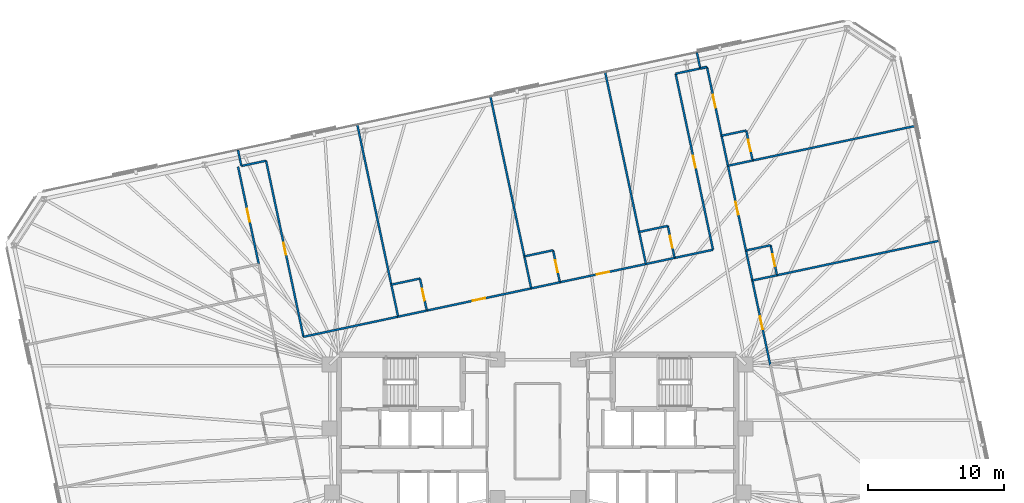
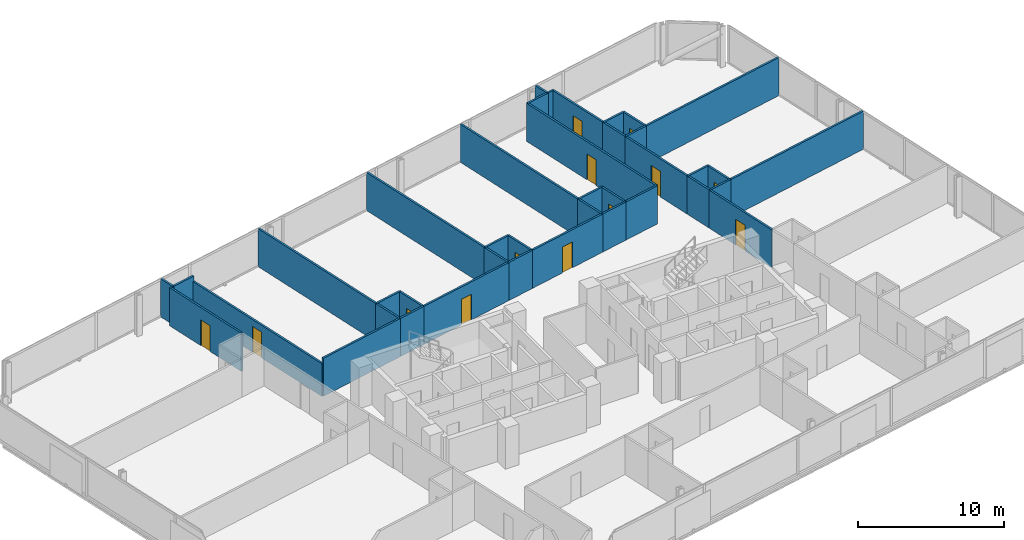
# One storey, part 17 of 19: 40 walls, 13 doors, 13 openings.
"""IFC4 building model written with IfcOpenShell, lengths in metres."""

from ifc_helpers import new_model, si_unit, direction, frame, frame_2d, origin, place, context, subcontext, project, spatial, rectangle, extrude, material, layer, layer_set, type_object, element, fill, save


model = new_model("IFC4")

# Units and contexts
model_context = context("Model", 3, precision=1e-05, world=origin(), true_north=direction((0.0, 1.0)))
body_context = subcontext(model_context, "Body", "Model", "MODEL_VIEW")
ifc_project = project(units=[si_unit("LENGTHUNIT", "METRE"), si_unit("AREAUNIT", "SQUARE_METRE"), si_unit("VOLUMEUNIT", "CUBIC_METRE"), si_unit("PLANEANGLEUNIT", "RADIAN"), si_unit("MASSUNIT", "GRAM", prefix="KILO")], contexts=[model_context])

# Site, building, storey
site_placement = place(None, origin())
site = spatial("IfcSite", under=ifc_project, at=site_placement, CompositionType="ELEMENT")
building_placement = place(site_placement, origin())
building = spatial("IfcBuilding", under=site, at=building_placement, Name="Menara Jurai Vektor", CompositionType="ELEMENT")
storey_placement = place(building_placement, frame((0.0, 0.0, 154.800048828125)))
storey = spatial("IfcBuildingStorey", under=building, at=storey_placement, Name="L39", CompositionType="ELEMENT", Elevation=154.800048828125)

# Walls
ifc_material_1 = material(Name="Gypsum Fireboard Partition", Category="gypsum")
ifc_layer_1 = layer(ifc_material_1, 0.14990234375)
ifc_layer_set_1 = layer_set([ifc_layer_1], Name="Gypsum Fireboard Partition")
wall_type_1 = type_object("IfcWallType", Name="INT-WALL-CORR-150", PredefinedType="PARTITIONING", material=ifc_layer_set_1)
wall_1_placement = place(storey_placement, frame((-21.71533203125, 19.447998046875, 0.0), z_axis=(0.0, 0.0, 1.0), x_axis=(0.978160192495, 0.207852442415, 0.0)))
element("IfcWall", 1, at=wall_1_placement, inside=storey, type_object=wall_type_1, Name="Interior Wall IW-150 L39", PredefinedType="PARTITIONING", context=body_context, shape_type="SweptSolid", body=[
    extrude(rectangle(XDim=1.849853515625, YDim=0.14990234375, at=frame_2d((0.9248046875, 0.0))), origin(), (0.0, 0.0, 1.0), 3.175048828125),
])
wall_2_placement = place(storey_placement, frame((-17.162353515625, 6.92578125, 0.0), z_axis=(0.0, 0.0, 1.0), x_axis=(0.978143627193, 0.207930383978, 0.0)))
element("IfcWall", 2, at=wall_2_placement, inside=storey, type_object=wall_type_1, Name="Interior Wall IW-150 L39", PredefinedType="PARTITIONING", context=body_context, shape_type="SweptSolid", body=[
    extrude(rectangle(XDim=7.093017578125, YDim=0.14990234375, at=frame_2d((3.54638671875, 0.0))), origin(), (0.0, 0.0, 1.0), 3.175048828125),
])

# Wall, opening, door
wall_3_placement = place(storey_placement, frame((-8.121337890625, 8.84765625, 0.0), z_axis=(0.0, 0.0, 1.0), x_axis=(0.978146318695, 0.207917722244, 0.0)))
wall_3 = element("IfcWall", 3, at=wall_3_placement, inside=storey, type_object=wall_type_1, Name="Interior Wall IW-150 L39", PredefinedType="PARTITIONING", context=body_context, shape_type="SweptSolid", body=[
    extrude(rectangle(XDim=7.82373046875, YDim=0.14990234375, at=frame_2d((3.911865234375, 0.0))), origin(), (0.0, 0.0, 1.0), 3.175048828125),
])
opening_1_placement = place(wall_3_placement, frame((3.451904296875, 0.0, 0.0)))
opening_1 = element("IfcOpeningElement", 4, at=opening_1_placement, cuts=wall_3, Name="Opening D39-08", PredefinedType="OPENING", context=body_context, shape_type="SweptSolid", body=[
    extrude(rectangle(XDim=0.919921875, YDim=2.14990234375, at=frame_2d((0.4599609375, 1.074951171875))), frame((0.0, 0.0849609375, 0.0), z_axis=(0.0, -1.0, 0.0), x_axis=(1.0, 0.0, 0.0)), (0.0, 0.0, 1.0), 0.169921875),
])
ifc_material_2 = material(Name="Solid Core Timber Fire Door", Category="wood")
door_type_1 = type_object("IfcDoorType", Name="DR-ENTRY-950", OperationType="NOTDEFINED", PredefinedType="DOOR", material=ifc_material_2)
door_1_placement = place(opening_1_placement, origin())
door_1 = element("IfcDoor", 5, at=door_1_placement, inside=storey, type_object=door_type_1, Name="Interior Door D39-08", OperationType="SINGLE_SWING_LEFT", OverallHeight=2.14990234375, OverallWidth=0.919921875, PredefinedType="DOOR", context=body_context, shape_type="SweptSolid", body=[
    extrude(rectangle(XDim=0.919921875, YDim=2.14990234375, at=frame_2d((0.4599609375, 1.074951171875))), frame((0.0, 0.02490234375, 0.0), z_axis=(0.0, -1.0, 0.0), x_axis=(1.0, 0.0, 0.0)), (0.0, 0.0, 1.0), 0.050048828125),
])
fill(opening_1, door_1)

# Wall
wall_4_placement = place(storey_placement, frame((-10.224365234375, 8.400634765625, 0.0), z_axis=(0.0, 0.0, 1.0), x_axis=(0.978146728319, 0.207915795165, 0.0)))
element("IfcWall", 6, at=wall_4_placement, inside=storey, type_object=wall_type_1, Name="Interior Wall IW-150 L39", PredefinedType="PARTITIONING", context=body_context, shape_type="SweptSolid", body=[
    extrude(rectangle(XDim=2.14990234375, YDim=0.14990234375, at=frame_2d((1.074951171875, 0.0))), origin(), (0.0, 0.0, 1.0), 3.175048828125),
])

# Wall, opening, door
wall_5_placement = place(storey_placement, frame((1.634521484375, 10.92138671875, 0.0), z_axis=(0.0, 0.0, 1.0), x_axis=(0.978147881284, 0.207910370927, 0.0)))
wall_5 = element("IfcWall", 7, at=wall_5_placement, inside=storey, type_object=wall_type_1, Name="Interior Wall IW-150 L39", PredefinedType="PARTITIONING", context=body_context, shape_type="SweptSolid", body=[
    extrude(rectangle(XDim=6.448974609375, YDim=0.14990234375, at=frame_2d((3.224609375, 0.0))), origin(), (0.0, 0.0, 1.0), 3.175048828125),
])
opening_2_placement = place(wall_5_placement, frame((2.764404296875, 0.0, 0.0)))
opening_2 = element("IfcOpeningElement", 8, at=opening_2_placement, cuts=wall_5, Name="Opening D39-10", PredefinedType="OPENING", context=body_context, shape_type="SweptSolid", body=[
    extrude(rectangle(XDim=0.919921875, YDim=2.14990234375, at=frame_2d((0.4599609375, 1.074951171875))), frame((0.0, 0.0849609375, 0.0), z_axis=(0.0, -1.0, 0.0), x_axis=(1.0, 0.0, 0.0)), (0.0, 0.0, 1.0), 0.169921875),
])
door_2_placement = place(opening_2_placement, origin())
door_2 = element("IfcDoor", 9, at=door_2_placement, inside=storey, type_object=door_type_1, Name="Interior Door D39-10", OperationType="SINGLE_SWING_LEFT", OverallHeight=2.14990234375, OverallWidth=0.919921875, PredefinedType="DOOR", context=body_context, shape_type="SweptSolid", body=[
    extrude(rectangle(XDim=0.919921875, YDim=2.14990234375, at=frame_2d((0.4599609375, 1.074951171875))), frame((0.0, 0.02490234375, 0.0), z_axis=(0.0, -1.0, 0.0), x_axis=(1.0, 0.0, 0.0)), (0.0, 0.0, 1.0), 0.050048828125),
])
fill(opening_2, door_2)

# Walls
wall_6_placement = place(storey_placement, frame((-0.468505859375, 10.474365234375, 0.0), z_axis=(0.0, 0.0, 1.0), x_axis=(0.978146728319, 0.207915795165, 0.0)))
element("IfcWall", 10, at=wall_6_placement, inside=storey, type_object=wall_type_1, Name="Interior Wall IW-150 L39", PredefinedType="PARTITIONING", context=body_context, shape_type="SweptSolid", body=[
    extrude(rectangle(XDim=2.14990234375, YDim=0.14990234375, at=frame_2d((1.074951171875, 0.0))), origin(), (0.0, 0.0, 1.0), 3.175048828125),
])
wall_7_placement = place(storey_placement, frame((10.045654296875, 12.709228515625, 0.0), z_axis=(0.0, 0.0, 1.0), x_axis=(0.97816208355, 0.207843542851, 0.0)))
element("IfcWall", 11, at=wall_7_placement, inside=storey, type_object=wall_type_1, Name="Interior Wall IW-150 L39", PredefinedType="PARTITIONING", context=body_context, shape_type="SweptSolid", body=[
    extrude(rectangle(XDim=2.879150390625, YDim=0.14990234375, at=frame_2d((1.439453125, 0.0))), origin(), (0.0, 0.0, 1.0), 3.175048828125),
])

# Wall, opening, door
wall_8_placement = place(storey_placement, frame((12.86181640625, 13.3076171875, 0.0), z_axis=(0.0, 0.0, 1.0), x_axis=(-0.207911421929, 0.978147657888, 0.0)))
wall_8 = element("IfcWall", 12, at=wall_8_placement, inside=storey, type_object=wall_type_1, Name="Interior Wall IW-150 L39", PredefinedType="PARTITIONING", context=body_context, shape_type="SweptSolid", body=[
    extrude(rectangle(XDim=13.195068359375, YDim=0.14990234375, at=frame_2d((6.59765625, 0.0))), origin(), (0.0, 0.0, 1.0), 3.175048828125),
])
opening_3_placement = place(wall_8_placement, frame((6.137451171875, 0.0, 0.0)))
opening_3 = element("IfcOpeningElement", 13, at=opening_3_placement, cuts=wall_8, Name="Opening D39-12", PredefinedType="OPENING", context=body_context, shape_type="SweptSolid", body=[
    extrude(rectangle(XDim=0.919921875, YDim=2.14990234375, at=frame_2d((0.4599609375, 1.074951171875))), frame((0.0, 0.0849609375, 0.0), z_axis=(0.0, -1.0, 0.0), x_axis=(1.0, 0.0, 0.0)), (0.0, 0.0, 1.0), 0.169921875),
])
door_3_placement = place(opening_3_placement, origin())
door_3 = element("IfcDoor", 14, at=door_3_placement, inside=storey, type_object=door_type_1, Name="Interior Door D39-12", OperationType="SINGLE_SWING_LEFT", OverallHeight=2.14990234375, OverallWidth=0.919921875, PredefinedType="DOOR", context=body_context, shape_type="SweptSolid", body=[
    extrude(rectangle(XDim=0.919921875, YDim=2.14990234375, at=frame_2d((0.4599609375, 1.074951171875))), frame((0.0, 0.02490234375, 0.0), z_axis=(0.0, -1.0, 0.0), x_axis=(1.0, 0.0, 0.0)), (0.0, 0.0, 1.0), 0.050048828125),
])
fill(opening_3, door_3)

# Walls
wall_9_placement = place(storey_placement, frame((10.118408203125, 26.21435546875, 0.0), z_axis=(0.0, 0.0, 1.0), x_axis=(0.978133353907, 0.20797870558, 0.0)))
element("IfcWall", 15, at=wall_9_placement, inside=storey, type_object=wall_type_1, Name="Interior Wall IW-150 L39", PredefinedType="PARTITIONING", context=body_context, shape_type="SweptSolid", body=[
    extrude(rectangle(XDim=1.85009765625, YDim=0.14990234375, at=frame_2d((0.925048828125, 0.0))), origin(), (0.0, 0.0, 1.0), 3.175048828125),
])
wall_10_placement = place(storey_placement, frame((7.942626953125, 12.26220703125, 0.0), z_axis=(0.0, 0.0, 1.0), x_axis=(0.978146728319, 0.207915795165, 0.0)))
element("IfcWall", 16, at=wall_10_placement, inside=storey, type_object=wall_type_1, Name="Interior Wall IW-150 L39", PredefinedType="PARTITIONING", context=body_context, shape_type="SweptSolid", body=[
    extrude(rectangle(XDim=2.14990234375, YDim=0.14990234375, at=frame_2d((1.074951171875, 0.0))), origin(), (0.0, 0.0, 1.0), 3.175048828125),
])

# Wall, opening, door
wall_11_placement = place(storey_placement, frame((-20.442138671875, 12.25537109375, 0.0), z_axis=(0.0, 0.0, 1.0), x_axis=(-0.207916352354, 0.978146609882, 0.0)))
wall_11 = element("IfcWall", 17, at=wall_11_placement, inside=storey, type_object=wall_type_1, Name="Interior Wall IW-150 L39", PredefinedType="PARTITIONING", context=body_context, shape_type="SweptSolid", body=[
    extrude(rectangle(XDim=7.300048828125, YDim=0.14990234375, at=frame_2d((3.64990234375, 0.0))), origin(), (0.0, 0.0, 1.0), 3.175048828125),
])
opening_4_placement = place(wall_11_placement, frame((3.175048828125, 0.0, 0.0)))
opening_4 = element("IfcOpeningElement", 18, at=opening_4_placement, cuts=wall_11, Name="Opening D39-25", PredefinedType="OPENING", context=body_context, shape_type="SweptSolid", body=[
    extrude(rectangle(XDim=0.949951171875, YDim=2.14990234375, at=frame_2d((0.47509765625, 1.074951171875))), frame((0.0, 0.0849609375, 0.0), z_axis=(0.0, -1.0, 0.0), x_axis=(1.0, 0.0, 0.0)), (0.0, 0.0, 1.0), 0.169921875),
])
door_4_placement = place(opening_4_placement, origin())
door_4 = element("IfcDoor", 19, at=door_4_placement, inside=storey, type_object=door_type_1, Name="Interior Door D39-25", OperationType="SINGLE_SWING_RIGHT", OverallHeight=2.14990234375, OverallWidth=0.949951171875, PredefinedType="DOOR", context=body_context, shape_type="SweptSolid", body=[
    extrude(rectangle(XDim=0.949951171875, YDim=2.14990234375, at=frame_2d((0.47509765625, 1.074951171875))), frame((0.0, 0.02490234375, 0.0), z_axis=(0.0, -1.0, 0.0), x_axis=(1.0, 0.0, 0.0)), (0.0, 0.0, 1.0), 0.050048828125),
])
fill(opening_4, door_4)

wall_12_placement = place(storey_placement, frame((17.06396484375, 4.84130859375, 0.0), z_axis=(0.0, 0.0, 1.0), x_axis=(-0.207924511115, 0.978144875608, 0.0)))
wall_12 = element("IfcWall", 20, at=wall_12_placement, inside=storey, type_object=wall_type_1, Name="Interior Wall IW-150 L39", PredefinedType="PARTITIONING", context=body_context, shape_type="SweptSolid", body=[
    extrude(rectangle(XDim=6.349853515625, YDim=0.14990234375, at=frame_2d((3.1748046875, 0.0))), origin(), (0.0, 0.0, 1.0), 3.175048828125),
])
opening_5_placement = place(wall_12_placement, frame((2.699951171875, 0.0, 0.0)))
opening_5 = element("IfcOpeningElement", 21, at=opening_5_placement, cuts=wall_12, Name="Opening D39-31", PredefinedType="OPENING", context=body_context, shape_type="SweptSolid", body=[
    extrude(rectangle(XDim=0.949951171875, YDim=2.14990234375, at=frame_2d((0.47509765625, 1.074951171875))), frame((0.0, 0.0849609375, 0.0), z_axis=(0.0, -1.0, 0.0), x_axis=(1.0, 0.0, 0.0)), (0.0, 0.0, 1.0), 0.169921875),
])
door_5_placement = place(opening_5_placement, origin())
door_5 = element("IfcDoor", 22, at=door_5_placement, inside=storey, type_object=door_type_1, Name="Interior Door D39-31", OperationType="SINGLE_SWING_RIGHT", OverallHeight=2.14990234375, OverallWidth=0.949951171875, PredefinedType="DOOR", context=body_context, shape_type="SweptSolid", body=[
    extrude(rectangle(XDim=0.949951171875, YDim=2.14990234375, at=frame_2d((0.47509765625, 1.074951171875))), frame((0.0, 0.02490234375, 0.0), z_axis=(0.0, -1.0, 0.0), x_axis=(1.0, 0.0, 0.0)), (0.0, 0.0, 1.0), 0.050048828125),
])
fill(opening_5, door_5)

wall_13_placement = place(storey_placement, frame((15.27587890625, 13.25341796875, 0.0), z_axis=(0.0, 0.0, 1.0), x_axis=(-0.207924511115, 0.978144875608, 0.0)))
wall_13 = element("IfcWall", 23, at=wall_13_placement, inside=storey, type_object=wall_type_1, Name="Interior Wall IW-150 L39", PredefinedType="PARTITIONING", context=body_context, shape_type="SweptSolid", body=[
    extrude(rectangle(XDim=6.349853515625, YDim=0.14990234375, at=frame_2d((3.1748046875, 0.0))), origin(), (0.0, 0.0, 1.0), 3.175048828125),
])
opening_6_placement = place(wall_13_placement, frame((2.699951171875, 0.0, 0.0)))
opening_6 = element("IfcOpeningElement", 24, at=opening_6_placement, cuts=wall_13, Name="Opening D39-33", PredefinedType="OPENING", context=body_context, shape_type="SweptSolid", body=[
    extrude(rectangle(XDim=0.949951171875, YDim=2.14990234375, at=frame_2d((0.47509765625, 1.074951171875))), frame((0.0, 0.0849609375, 0.0), z_axis=(0.0, -1.0, 0.0), x_axis=(1.0, 0.0, 0.0)), (0.0, 0.0, 1.0), 0.169921875),
])
door_6_placement = place(opening_6_placement, origin())
door_6 = element("IfcDoor", 25, at=door_6_placement, inside=storey, type_object=door_type_1, Name="Interior Door D39-33", OperationType="SINGLE_SWING_RIGHT", OverallHeight=2.14990234375, OverallWidth=0.949951171875, PredefinedType="DOOR", context=body_context, shape_type="SweptSolid", body=[
    extrude(rectangle(XDim=0.949951171875, YDim=2.14990234375, at=frame_2d((0.47509765625, 1.074951171875))), frame((0.0, 0.02490234375, 0.0), z_axis=(0.0, -1.0, 0.0), x_axis=(1.0, 0.0, 0.0)), (0.0, 0.0, 1.0), 0.050048828125),
])
fill(opening_6, door_6)

# Walls
wall_14_placement = place(storey_placement, frame((15.74365234375, 11.052490234375, 0.0), z_axis=(0.0, 0.0, 1.0), x_axis=(-0.207891197838, 0.978151956427, 0.0)))
element("IfcWall", 26, at=wall_14_placement, inside=storey, type_object=wall_type_1, Name="Interior Wall IW-150 L39", PredefinedType="PARTITIONING", context=body_context, shape_type="SweptSolid", body=[
    extrude(rectangle(XDim=2.25, YDim=0.14990234375, at=frame_2d((1.125, 0.0))), origin(), (0.0, 0.0, 1.0), 3.175048828125),
])
wall_15_placement = place(storey_placement, frame((11.927978515625, 26.59912109375, 0.0), z_axis=(0.0, 0.0, 1.0), x_axis=(0.97822210712, 0.207560856478, 0.0)))
element("IfcWall", 27, at=wall_15_placement, inside=storey, type_object=wall_type_1, Name="Interior Wall IW-150 L39", PredefinedType="PARTITIONING", context=body_context, shape_type="SweptSolid", body=[
    extrude(rectangle(XDim=0.5, YDim=0.14990234375, at=frame_2d((0.25, 0.0))), origin(), (0.0, 0.0, 1.0), 3.175048828125),
])

# Wall, opening, door
wall_16_placement = place(storey_placement, frame((13.48779296875, 21.66552734375, 0.0), z_axis=(0.0, 0.0, 1.0), x_axis=(-0.207926226209, 0.978144511028, 0.0)))
wall_16 = element("IfcWall", 28, at=wall_16_placement, inside=storey, type_object=wall_type_1, Name="Interior Wall IW-150 L39", PredefinedType="PARTITIONING", context=body_context, shape_type="SweptSolid", body=[
    extrude(rectangle(XDim=5.14990234375, YDim=0.14990234375, at=frame_2d((2.574951171875, 0.0))), origin(), (0.0, 0.0, 1.0), 3.175048828125),
])
opening_7_placement = place(wall_16_placement, frame((2.10009765625, 0.0, 0.0)))
opening_7 = element("IfcOpeningElement", 29, at=opening_7_placement, cuts=wall_16, Name="Opening D39-35", PredefinedType="OPENING", context=body_context, shape_type="SweptSolid", body=[
    extrude(rectangle(XDim=0.949951171875, YDim=2.14990234375, at=frame_2d((0.47509765625, 1.074951171875))), frame((0.0, 0.0849609375, 0.0), z_axis=(0.0, -1.0, 0.0), x_axis=(1.0, 0.0, 0.0)), (0.0, 0.0, 1.0), 0.169921875),
])
door_7_placement = place(opening_7_placement, origin())
door_7 = element("IfcDoor", 30, at=door_7_placement, inside=storey, type_object=door_type_1, Name="Interior Door D39-35", OperationType="SINGLE_SWING_RIGHT", OverallHeight=2.14990234375, OverallWidth=0.949951171875, PredefinedType="DOOR", context=body_context, shape_type="SweptSolid", body=[
    extrude(rectangle(XDim=0.949951171875, YDim=2.14990234375, at=frame_2d((0.47509765625, 1.074951171875))), frame((0.0, 0.02490234375, 0.0), z_axis=(0.0, -1.0, 0.0), x_axis=(1.0, 0.0, 0.0)), (0.0, 0.0, 1.0), 0.050048828125),
])
fill(opening_7, door_7)

# Walls
wall_17_placement = place(storey_placement, frame((13.95556640625, 19.464599609375, 0.0), z_axis=(0.0, 0.0, 1.0), x_axis=(-0.207891197838, 0.978151956427, 0.0)))
element("IfcWall", 31, at=wall_17_placement, inside=storey, type_object=wall_type_1, Name="Interior Wall IW-150 L39", PredefinedType="PARTITIONING", context=body_context, shape_type="SweptSolid", body=[
    extrude(rectangle(XDim=2.25, YDim=0.14990234375, at=frame_2d((1.125, 0.0))), origin(), (0.0, 0.0, 1.0), 3.175048828125),
])
wall_18_placement = place(storey_placement, frame((-10.723388671875, 10.748291015625, 0.0), z_axis=(0.0, 0.0, 1.0), x_axis=(-0.207914988081, 0.978146899873, 0.0)))
element("IfcWall", 32, at=wall_18_placement, inside=storey, type_object=wall_type_1, Name="Interior Wall IW-150 L39", PredefinedType="PARTITIONING", context=body_context, shape_type="SweptSolid", body=[
    extrude(rectangle(XDim=11.994873046875, YDim=0.14990234375, at=frame_2d((5.99755859375, 0.0))), origin(), (0.0, 0.0, 1.0), 3.175048828125),
])
wall_19_placement = place(storey_placement, frame((-10.224365234375, 8.400634765625, 0.0), z_axis=(0.0, 0.0, 1.0), x_axis=(-0.207917150959, 0.978146440129, 0.0)))
element("IfcWall", 33, at=wall_19_placement, inside=storey, type_object=wall_type_1, Name="Interior Wall IW-150 L39", PredefinedType="PARTITIONING", context=body_context, shape_type="SweptSolid", body=[
    extrude(rectangle(XDim=2.400146484375, YDim=0.14990234375, at=frame_2d((1.2001953125, 0.0))), origin(), (0.0, 0.0, 1.0), 3.175048828125),
])
wall_20_placement = place(storey_placement, frame((-21.71533203125, 19.447998046875, 0.0), z_axis=(0.0, 0.0, 1.0), x_axis=(-0.20795853359, 0.978137642823, 0.0)))
element("IfcWall", 34, at=wall_20_placement, inside=storey, type_object=wall_type_1, Name="Interior Wall IW-150 L39", PredefinedType="PARTITIONING", context=body_context, shape_type="SweptSolid", body=[
    extrude(rectangle(XDim=1.19970703125, YDim=0.14990234375, at=frame_2d((0.599853515625, 0.0))), origin(), (0.0, 0.0, 1.0), 3.175048828125),
])
wall_21_placement = place(storey_placement, frame((-10.723388671875, 10.748291015625, 0.0), z_axis=(0.0, 0.0, 1.0), x_axis=(0.978146728319, 0.207915795165, 0.0)))
element("IfcWall", 35, at=wall_21_placement, inside=storey, type_object=wall_type_1, Name="Interior Wall IW-150 L39", PredefinedType="PARTITIONING", context=body_context, shape_type="SweptSolid", body=[
    extrude(rectangle(XDim=2.14990234375, YDim=0.14990234375, at=frame_2d((1.074951171875, 0.0))), origin(), (0.0, 0.0, 1.0), 3.175048828125),
])

# Wall, opening, door
wall_22_placement = place(storey_placement, frame((-8.121337890625, 8.84765625, 0.0), z_axis=(0.0, 0.0, 1.0), x_axis=(-0.207917150959, 0.978146440129, 0.0)))
wall_22 = element("IfcWall", 36, at=wall_22_placement, inside=storey, type_object=wall_type_1, Name="Interior Wall IW-150 L39", PredefinedType="PARTITIONING", context=body_context, shape_type="SweptSolid", body=[
    extrude(rectangle(XDim=2.400146484375, YDim=0.14990234375, at=frame_2d((1.2001953125, 0.0))), origin(), (0.0, 0.0, 1.0), 3.175048828125),
])
opening_8_placement = place(wall_22_placement, frame((0.760009765625, 0.0, 0.0)))
opening_8 = element("IfcOpeningElement", 37, at=opening_8_placement, cuts=wall_22, Name="Opening D39-09", PredefinedType="OPENING", context=body_context, shape_type="SweptSolid", body=[
    extrude(rectangle(XDim=0.8798828125, YDim=2.14990234375, at=frame_2d((0.43994140625, 1.074951171875))), frame((0.0, 0.0849609375, 0.0), z_axis=(0.0, -1.0, 0.0), x_axis=(1.0, 0.0, 0.0)), (0.0, 0.0, 1.0), 0.169921875),
])
ifc_material_3 = material(Name="Moisture-Resistant Timber Door", Category="wood")
door_type_2 = type_object("IfcDoorType", Name="DR-BATH-880", OperationType="NOTDEFINED", PredefinedType="DOOR", material=ifc_material_3)
door_8_placement = place(opening_8_placement, origin())
door_8 = element("IfcDoor", 38, at=door_8_placement, inside=storey, type_object=door_type_2, Name="Interior Door D39-09", OperationType="SINGLE_SWING_RIGHT", OverallHeight=2.14990234375, OverallWidth=0.8798828125, PredefinedType="DOOR", context=body_context, shape_type="SweptSolid", body=[
    extrude(rectangle(XDim=0.8798828125, YDim=2.14990234375, at=frame_2d((0.43994140625, 1.074951171875))), frame((0.0, 0.02490234375, 0.0), z_axis=(0.0, -1.0, 0.0), x_axis=(1.0, 0.0, 0.0)), (0.0, 0.0, 1.0), 0.050048828125),
])
fill(opening_8, door_8)

# Walls
wall_23_placement = place(storey_placement, frame((-0.96728515625, 12.822021484375, 0.0), z_axis=(0.0, 0.0, 1.0), x_axis=(-0.207914988081, 0.978146899873, 0.0)))
element("IfcWall", 39, at=wall_23_placement, inside=storey, type_object=wall_type_1, Name="Interior Wall IW-150 L39", PredefinedType="PARTITIONING", context=body_context, shape_type="SweptSolid", body=[
    extrude(rectangle(XDim=11.994873046875, YDim=0.14990234375, at=frame_2d((5.99755859375, 0.0))), origin(), (0.0, 0.0, 1.0), 3.175048828125),
])
wall_24_placement = place(storey_placement, frame((-0.468505859375, 10.474365234375, 0.0), z_axis=(0.0, 0.0, 1.0), x_axis=(-0.207819824493, 0.978167123015, 0.0)))
element("IfcWall", 40, at=wall_24_placement, inside=storey, type_object=wall_type_1, Name="Interior Wall IW-150 L39", PredefinedType="PARTITIONING", context=body_context, shape_type="SweptSolid", body=[
    extrude(rectangle(XDim=2.400146484375, YDim=0.14990234375, at=frame_2d((1.2001953125, 0.0))), origin(), (0.0, 0.0, 1.0), 3.175048828125),
])
wall_25_placement = place(storey_placement, frame((-0.96728515625, 12.822021484375, 0.0), z_axis=(0.0, 0.0, 1.0), x_axis=(0.978169816376, 0.207807146966, 0.0)))
element("IfcWall", 41, at=wall_25_placement, inside=storey, type_object=wall_type_1, Name="Interior Wall IW-150 L39", PredefinedType="PARTITIONING", context=body_context, shape_type="SweptSolid", body=[
    extrude(rectangle(XDim=2.14990234375, YDim=0.14990234375, at=frame_2d((1.074951171875, 0.0))), origin(), (0.0, 0.0, 1.0), 3.175048828125),
])

# Wall, opening, door
wall_26_placement = place(storey_placement, frame((1.634521484375, 10.92138671875, 0.0), z_axis=(0.0, 0.0, 1.0), x_axis=(-0.207840504985, 0.978162729042, 0.0)))
wall_26 = element("IfcWall", 42, at=wall_26_placement, inside=storey, type_object=wall_type_1, Name="Interior Wall IW-150 L39", PredefinedType="PARTITIONING", context=body_context, shape_type="SweptSolid", body=[
    extrude(rectangle(XDim=2.39990234375, YDim=0.14990234375, at=frame_2d((1.199951171875, 0.0))), origin(), (0.0, 0.0, 1.0), 3.175048828125),
])
opening_9_placement = place(wall_26_placement, frame((0.760009765625, 0.0, 0.0)))
opening_9 = element("IfcOpeningElement", 43, at=opening_9_placement, cuts=wall_26, Name="Opening D39-11", PredefinedType="OPENING", context=body_context, shape_type="SweptSolid", body=[
    extrude(rectangle(XDim=0.8798828125, YDim=2.14990234375, at=frame_2d((0.43994140625, 1.074951171875))), frame((0.0, 0.0849609375, 0.0), z_axis=(0.0, -1.0, 0.0), x_axis=(1.0, 0.0, 0.0)), (0.0, 0.0, 1.0), 0.169921875),
])
door_9_placement = place(opening_9_placement, origin())
door_9 = element("IfcDoor", 44, at=door_9_placement, inside=storey, type_object=door_type_2, Name="Interior Door D39-11", OperationType="SINGLE_SWING_RIGHT", OverallHeight=2.14990234375, OverallWidth=0.8798828125, PredefinedType="DOOR", context=body_context, shape_type="SweptSolid", body=[
    extrude(rectangle(XDim=0.8798828125, YDim=2.14990234375, at=frame_2d((0.43994140625, 1.074951171875))), frame((0.0, 0.02490234375, 0.0), z_axis=(0.0, -1.0, 0.0), x_axis=(1.0, 0.0, 0.0)), (0.0, 0.0, 1.0), 0.050048828125),
])
fill(opening_9, door_9)

# Walls
wall_27_placement = place(storey_placement, frame((7.443603515625, 14.609619140625, 0.0), z_axis=(0.0, 0.0, 1.0), x_axis=(-0.207910848762, 0.978147779718, 0.0)))
element("IfcWall", 45, at=wall_27_placement, inside=storey, type_object=wall_type_1, Name="Interior Wall IW-150 L39", PredefinedType="PARTITIONING", context=body_context, shape_type="SweptSolid", body=[
    extrude(rectangle(XDim=11.9951171875, YDim=0.14990234375, at=frame_2d((5.99755859375, 0.0))), origin(), (0.0, 0.0, 1.0), 3.175048828125),
])
wall_28_placement = place(storey_placement, frame((7.942626953125, 12.26220703125, 0.0), z_axis=(0.0, 0.0, 1.0), x_axis=(-0.207937840262, 0.978142042133, 0.0)))
element("IfcWall", 46, at=wall_28_placement, inside=storey, type_object=wall_type_1, Name="Interior Wall IW-150 L39", PredefinedType="PARTITIONING", context=body_context, shape_type="SweptSolid", body=[
    extrude(rectangle(XDim=2.39990234375, YDim=0.14990234375, at=frame_2d((1.199951171875, 0.0))), origin(), (0.0, 0.0, 1.0), 3.175048828125),
])
wall_29_placement = place(storey_placement, frame((7.443603515625, 14.609619140625, 0.0), z_axis=(0.0, 0.0, 1.0), x_axis=(0.978151636287, 0.207892704126, 0.0)))
element("IfcWall", 47, at=wall_29_placement, inside=storey, type_object=wall_type_1, Name="Interior Wall IW-150 L39", PredefinedType="PARTITIONING", context=body_context, shape_type="SweptSolid", body=[
    extrude(rectangle(XDim=2.150146484375, YDim=0.14990234375, at=frame_2d((1.0751953125, 0.0))), origin(), (0.0, 0.0, 1.0), 3.175048828125),
])

# Wall, opening, door
wall_30_placement = place(storey_placement, frame((10.045654296875, 12.709228515625, 0.0), z_axis=(0.0, 0.0, 1.0), x_axis=(-0.207840504985, 0.978162729042, 0.0)))
wall_30 = element("IfcWall", 48, at=wall_30_placement, inside=storey, type_object=wall_type_1, Name="Interior Wall IW-150 L39", PredefinedType="PARTITIONING", context=body_context, shape_type="SweptSolid", body=[
    extrude(rectangle(XDim=2.39990234375, YDim=0.14990234375, at=frame_2d((1.199951171875, 0.0))), origin(), (0.0, 0.0, 1.0), 3.175048828125),
])
opening_10_placement = place(wall_30_placement, frame((0.760009765625, 0.0, 0.0)))
opening_10 = element("IfcOpeningElement", 49, at=opening_10_placement, cuts=wall_30, Name="Opening D39-13", PredefinedType="OPENING", context=body_context, shape_type="SweptSolid", body=[
    extrude(rectangle(XDim=0.8798828125, YDim=2.14990234375, at=frame_2d((0.43994140625, 1.074951171875))), frame((0.0, 0.0849609375, 0.0), z_axis=(0.0, -1.0, 0.0), x_axis=(1.0, 0.0, 0.0)), (0.0, 0.0, 1.0), 0.169921875),
])
door_10_placement = place(opening_10_placement, origin())
door_10 = element("IfcDoor", 50, at=door_10_placement, inside=storey, type_object=door_type_2, Name="Interior Door D39-13", OperationType="SINGLE_SWING_RIGHT", OverallHeight=2.14990234375, OverallWidth=0.8798828125, PredefinedType="DOOR", context=body_context, shape_type="SweptSolid", body=[
    extrude(rectangle(XDim=0.8798828125, YDim=2.14990234375, at=frame_2d((0.43994140625, 1.074951171875))), frame((0.0, 0.02490234375, 0.0), z_axis=(0.0, -1.0, 0.0), x_axis=(1.0, 0.0, 0.0)), (0.0, 0.0, 1.0), 0.050048828125),
])
fill(opening_10, door_10)

# Walls
wall_31_placement = place(storey_placement, frame((11.927978515625, 26.59912109375, 0.0), z_axis=(0.0, 0.0, 1.0), x_axis=(-0.20795853359, 0.978137642823, 0.0)))
element("IfcWall", 51, at=wall_31_placement, inside=storey, type_object=wall_type_1, Name="Interior Wall IW-150 L39", PredefinedType="PARTITIONING", context=body_context, shape_type="SweptSolid", body=[
    extrude(rectangle(XDim=1.19970703125, YDim=0.14990234375, at=frame_2d((0.599853515625, 0.0))), origin(), (0.0, 0.0, 1.0), 3.175048828125),
])
wall_32_placement = place(storey_placement, frame((17.55322265625, 11.437255859375, 0.0), z_axis=(0.0, 0.0, 1.0), x_axis=(0.97814556055, 0.207921288896, 0.0)))
element("IfcWall", 52, at=wall_32_placement, inside=storey, type_object=wall_type_1, Name="Interior Wall IW-150 L39", PredefinedType="PARTITIONING", context=body_context, shape_type="SweptSolid", body=[
    extrude(rectangle(XDim=12.18701171875, YDim=0.14990234375, at=frame_2d((6.093505859375, 0.0))), origin(), (0.0, 0.0, 1.0), 3.175048828125),
])
for number, where, z_axis, x_axis, name in (
    (53, (15.74365234375, 11.052490234375, 0.0), (0.0, 0.0, 1.0), (0.978133353907, 0.20797870558, 0.0), "Interior Wall IW-150 L39"),
    (54, (15.27587890625, 13.25341796875, 0.0), (0.0, 0.0, 1.0), (0.978133353907, 0.20797870558, 0.0), "Interior Wall IW-150 L39"),
):
    element("IfcWall", number, at=place(storey_placement, frame(where, z_axis=z_axis, x_axis=x_axis)), inside=storey, type_object=wall_type_1, Name=name, PredefinedType="PARTITIONING", context=body_context, shape_type="SweptSolid", body=[
        extrude(rectangle(XDim=1.85009765625, YDim=0.14990234375, at=frame_2d((0.925048828125, 0.0))), origin(), (0.0, 0.0, 1.0), 3.175048828125),
    ])

# Wall, opening, door
wall_33_placement = place(storey_placement, frame((17.55322265625, 11.437255859375, 0.0), z_axis=(0.0, 0.0, 1.0), x_axis=(-0.207891197838, 0.978151956427, 0.0)))
wall_33 = element("IfcWall", 55, at=wall_33_placement, inside=storey, type_object=wall_type_1, Name="Interior Wall IW-150 L39", PredefinedType="PARTITIONING", context=body_context, shape_type="SweptSolid", body=[
    extrude(rectangle(XDim=2.25, YDim=0.14990234375, at=frame_2d((1.125, 0.0))), origin(), (0.0, 0.0, 1.0), 3.175048828125),
])
opening_11_placement = place(wall_33_placement, frame((0.68505859375, 0.0, 0.0)))
opening_11 = element("IfcOpeningElement", 56, at=opening_11_placement, cuts=wall_33, Name="Opening D39-34", PredefinedType="OPENING", context=body_context, shape_type="SweptSolid", body=[
    extrude(rectangle(XDim=0.8798828125, YDim=2.14990234375, at=frame_2d((0.43994140625, 1.074951171875))), frame((0.0, 0.0849609375, 0.0), z_axis=(0.0, -1.0, 0.0), x_axis=(1.0, 0.0, 0.0)), (0.0, 0.0, 1.0), 0.169921875),
])
door_11_placement = place(opening_11_placement, origin())
door_11 = element("IfcDoor", 57, at=door_11_placement, inside=storey, type_object=door_type_2, Name="Interior Door D39-34", OperationType="SINGLE_SWING_LEFT", OverallHeight=2.14990234375, OverallWidth=0.8798828125, PredefinedType="DOOR", context=body_context, shape_type="SweptSolid", body=[
    extrude(rectangle(XDim=0.8798828125, YDim=2.14990234375, at=frame_2d((0.43994140625, 1.074951171875))), frame((0.0, 0.02490234375, 0.0), z_axis=(0.0, -1.0, 0.0), x_axis=(1.0, 0.0, 0.0)), (0.0, 0.0, 1.0), 0.050048828125),
])
fill(opening_11, door_11)

# Walls
wall_34_placement = place(storey_placement, frame((15.76513671875, 19.849365234375, 0.0), z_axis=(0.0, 0.0, 1.0), x_axis=(0.978149634612, 0.207902121941, 0.0)))
element("IfcWall", 58, at=wall_34_placement, inside=storey, type_object=wall_type_1, Name="Interior Wall IW-150 L39", PredefinedType="PARTITIONING", context=body_context, shape_type="SweptSolid", body=[
    extrude(rectangle(XDim=12.18701171875, YDim=0.14990234375, at=frame_2d((6.093505859375, 0.0))), origin(), (0.0, 0.0, 1.0), 3.175048828125),
])
for number, where, z_axis, x_axis, name in (
    (59, (13.95556640625, 19.464599609375, 0.0), (0.0, 0.0, 1.0), (0.978133353907, 0.20797870558, 0.0), "Interior Wall IW-150 L39"),
    (60, (13.48779296875, 21.66552734375, 0.0), (0.0, 0.0, 1.0), (0.978133353907, 0.20797870558, 0.0), "Interior Wall IW-150 L39"),
):
    element("IfcWall", number, at=place(storey_placement, frame(where, z_axis=z_axis, x_axis=x_axis)), inside=storey, type_object=wall_type_1, Name=name, PredefinedType="PARTITIONING", context=body_context, shape_type="SweptSolid", body=[
        extrude(rectangle(XDim=1.85009765625, YDim=0.14990234375, at=frame_2d((0.925048828125, 0.0))), origin(), (0.0, 0.0, 1.0), 3.175048828125),
    ])

# Wall, opening, door
wall_35_placement = place(storey_placement, frame((15.76513671875, 19.849365234375, 0.0), z_axis=(0.0, 0.0, 1.0), x_axis=(-0.207891197838, 0.978151956427, 0.0)))
wall_35 = element("IfcWall", 61, at=wall_35_placement, inside=storey, type_object=wall_type_1, Name="Interior Wall IW-150 L39", PredefinedType="PARTITIONING", context=body_context, shape_type="SweptSolid", body=[
    extrude(rectangle(XDim=2.25, YDim=0.14990234375, at=frame_2d((1.125, 0.0))), origin(), (0.0, 0.0, 1.0), 3.175048828125),
])
opening_12_placement = place(wall_35_placement, frame((0.68505859375, 0.0, 0.0)))
opening_12 = element("IfcOpeningElement", 62, at=opening_12_placement, cuts=wall_35, Name="Opening D39-36", PredefinedType="OPENING", context=body_context, shape_type="SweptSolid", body=[
    extrude(rectangle(XDim=0.8798828125, YDim=2.14990234375, at=frame_2d((0.43994140625, 1.074951171875))), frame((0.0, 0.0849609375, 0.0), z_axis=(0.0, -1.0, 0.0), x_axis=(1.0, 0.0, 0.0)), (0.0, 0.0, 1.0), 0.169921875),
])
door_12_placement = place(opening_12_placement, origin())
door_12 = element("IfcDoor", 63, at=door_12_placement, inside=storey, type_object=door_type_2, Name="Interior Door D39-36", OperationType="SINGLE_SWING_LEFT", OverallHeight=2.14990234375, OverallWidth=0.8798828125, PredefinedType="DOOR", context=body_context, shape_type="SweptSolid", body=[
    extrude(rectangle(XDim=0.8798828125, YDim=2.14990234375, at=frame_2d((0.43994140625, 1.074951171875))), frame((0.0, 0.02490234375, 0.0), z_axis=(0.0, -1.0, 0.0), x_axis=(1.0, 0.0, 0.0)), (0.0, 0.0, 1.0), 0.050048828125),
])
fill(opening_12, door_12)

ifc_layer_2 = layer(ifc_material_1, 0.14990234375)
ifc_layer_set_2 = layer_set([ifc_layer_2], Name="Gypsum Fireboard Partition")
wall_type_2 = type_object("IfcWallType", Name="INT-WALL-CORR-150-H1", PredefinedType="PARTITIONING", material=ifc_layer_set_2)
wall_36_placement = place(storey_placement, frame((-17.162353515625, 6.92578125, 0.0), z_axis=(0.0, 0.0, 1.0), x_axis=(-0.207911421929, 0.978147657888, 0.0)))
wall_36 = element("IfcWall", 64, at=wall_36_placement, inside=storey, type_object=wall_type_2, Name="Interior Wall IW-150 L39", PredefinedType="PARTITIONING", context=body_context, shape_type="SweptSolid", body=[
    extrude(rectangle(XDim=13.195068359375, YDim=0.14990234375, at=frame_2d((6.59765625, 0.0))), origin(), (0.0, 0.0, 1.0), 2.724853515625),
])
opening_13_placement = place(wall_36_placement, frame((6.137451171875, 0.0, 0.0)))
opening_13 = element("IfcOpeningElement", 65, at=opening_13_placement, cuts=wall_36, Name="Opening D39-07", PredefinedType="OPENING", context=body_context, shape_type="SweptSolid", body=[
    extrude(rectangle(XDim=0.919921875, YDim=2.14990234375, at=frame_2d((0.4599609375, 1.074951171875))), frame((0.0, 0.0849609375, 0.0), z_axis=(0.0, -1.0, 0.0), x_axis=(1.0, 0.0, 0.0)), (0.0, 0.0, 1.0), 0.169921875),
])
door_13_placement = place(opening_13_placement, origin())
door_13 = element("IfcDoor", 66, at=door_13_placement, inside=storey, type_object=door_type_1, Name="Interior Door D39-07", OperationType="SINGLE_SWING_RIGHT", OverallHeight=2.14990234375, OverallWidth=0.919921875, PredefinedType="DOOR", context=body_context, shape_type="SweptSolid", body=[
    extrude(rectangle(XDim=0.919921875, YDim=2.14990234375, at=frame_2d((0.4599609375, 1.074951171875))), frame((0.0, 0.02490234375, 0.0), z_axis=(0.0, -1.0, 0.0), x_axis=(1.0, 0.0, 0.0)), (0.0, 0.0, 1.0), 0.050048828125),
])
fill(opening_13, door_13)

save(model, "model.ifc")
